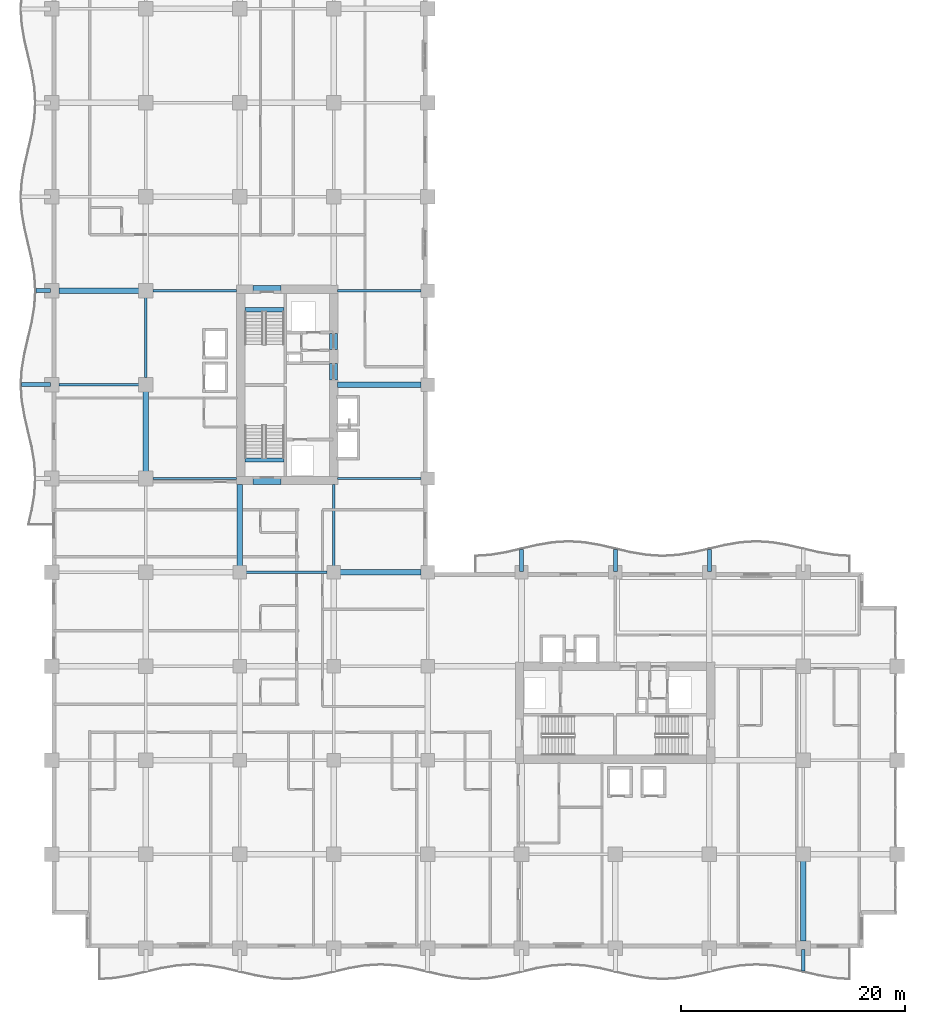
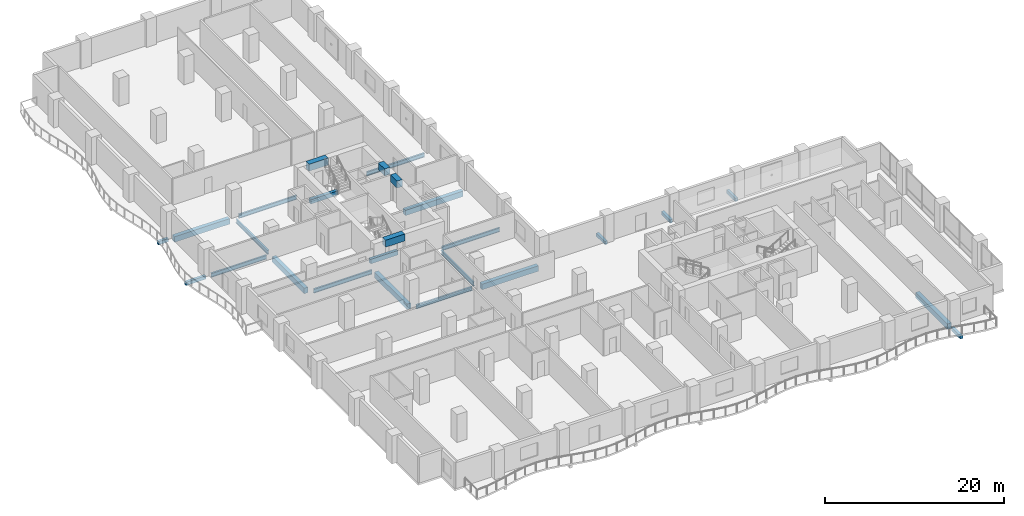
# One storey, part 2 of 23: 26 beams.
"""IFC4 building model written with IfcOpenShell, lengths in metres."""

from ifc_helpers import new_model, si_unit, direction, frame, origin, origin_2d, place, context, subcontext, project, spatial, rectangle, i_section, extrude, material, material_profile, profile_set, type_object, element, save


model = new_model("IFC4")

# Units and contexts
model_context = context("Model", 3, precision=1e-05, world=origin(), true_north=direction((0.0, 1.0)))
body_context = subcontext(model_context, "Body", "Model", "MODEL_VIEW")
ifc_project = project(units=[si_unit("LENGTHUNIT", "METRE"), si_unit("AREAUNIT", "SQUARE_METRE"), si_unit("VOLUMEUNIT", "CUBIC_METRE"), si_unit("PLANEANGLEUNIT", "RADIAN"), si_unit("MASSUNIT", "GRAM", prefix="KILO")], contexts=[model_context])

# Site, building, storey
site_placement = place(None, origin())
site = spatial("IfcSite", under=ifc_project, at=site_placement, CompositionType="ELEMENT")
building_placement = place(site_placement, origin())
building = spatial("IfcBuilding", under=site, at=building_placement, Name="Koriwani Terraces Tower", CompositionType="ELEMENT")
storey_placement = place(building_placement, frame((0.0, 0.0, 119.0)))
storey = spatial("IfcBuildingStorey", under=building, at=storey_placement, Name="L28", CompositionType="ELEMENT", Elevation=119.0)

# Beams
ifc_material_1 = material(Name="Concrete C40/50", Category="concrete")
ifc_material_profile_1 = material_profile(ifc_material_1, rectangle(XDim=0.35009765625, YDim=0.449951171875, at=origin_2d()), Name="Concrete C40/50", Category="LoadBearing")
ifc_profile_set_1 = profile_set([ifc_material_profile_1], Name="Concrete C40/50")
beam_type_1 = type_object("IfcBeamType", Name="BEAM_RC_BALCONY_RIB_350X450", PredefinedType="JOIST", material=ifc_profile_set_1)
beam_1_placement = place(storey_placement, frame((67.199951171875, -2.050048828125, -0.47509765625), z_axis=(0.0, 1.0, 0.0), x_axis=(-1.0, 0.0, 0.0)))
element("IfcBeam", 1, at=beam_1_placement, inside=storey, type_object=beam_type_1, Name="L28 Balcony Bracket Rib S-8", PredefinedType="JOIST", context=body_context, shape_type="SweptSolid", body=[
    extrude(rectangle(XDim=0.35009765625, YDim=0.449951171875, at=origin_2d()), origin(), (0.0, 0.0, 1.0), 1.949951171875),
])
beam_2_placement = place(storey_placement, frame((-2.699951171875, 50.39990234375, -0.47509765625), z_axis=(1.0, 0.0, 0.0), x_axis=(0.0, 1.0, 0.0)))
element("IfcBeam", 2, at=beam_2_placement, inside=storey, type_object=beam_type_1, Name="L28 Balcony Bracket Rib W-2", PredefinedType="JOIST", context=body_context, shape_type="SweptSolid", body=[
    extrude(rectangle(XDim=0.35009765625, YDim=0.449951171875, at=origin_2d()), origin(), (0.0, 0.0, 1.0), 2.599853515625),
])
beam_3_placement = place(storey_placement, frame((-1.39990234375, 58.800048828125, -0.47509765625), z_axis=(1.0, 0.0, 0.0), x_axis=(0.0, 1.0, 0.0)))
element("IfcBeam", 3, at=beam_3_placement, inside=storey, type_object=beam_type_1, Name="L28 Balcony Bracket Rib W-3", PredefinedType="JOIST", context=body_context, shape_type="SweptSolid", body=[
    extrude(rectangle(XDim=0.35009765625, YDim=0.449951171875, at=origin_2d()), origin(), (0.0, 0.0, 1.0), 1.2998046875),
])
for number, where, z_axis, x_axis, name in (
    (4, (42.0, 33.699951171875, -0.47509765625), (0.0, 1.0, 0.0), (-1.0, 0.0, 0.0), "L28 Balcony Bracket Rib NE-1"),
    (5, (50.39990234375, 33.699951171875, -0.47509765625), (0.0, 1.0, 0.0), (-1.0, 0.0, 0.0), "L28 Balcony Bracket Rib NE-2"),
    (6, (58.800048828125, 33.699951171875, -0.47509765625), (0.0, 1.0, 0.0), (-1.0, 0.0, 0.0), "L28 Balcony Bracket Rib NE-3"),
):
    element("IfcBeam", number, at=place(storey_placement, frame(where, z_axis=z_axis, x_axis=x_axis)), inside=storey, type_object=beam_type_1, Name=name, PredefinedType="JOIST", context=body_context, shape_type="SweptSolid", body=[
        extrude(rectangle(XDim=0.35009765625, YDim=0.449951171875, at=origin_2d()), origin(), (0.0, 0.0, 1.0), 1.949951171875),
    ])
ifc_material_2 = material(Name="Concrete C60/75", Category="concrete")
ifc_material_profile_2 = material_profile(ifc_material_2, rectangle(XDim=0.699951171875, YDim=0.949951171875, at=origin_2d()), Name="Concrete C60/75", Category="LoadBearing")
ifc_profile_set_2 = profile_set([ifc_material_profile_2], Name="Concrete C60/75")
beam_type_2 = type_object("IfcBeamType", Name="BEAM_RC_COUPLING_700X950", PredefinedType="LINTEL", material=ifc_profile_set_2)
beam_4_placement = place(storey_placement, frame((25.199951171875, 50.800048828125, 3.074951171875), z_axis=(0.0, 1.0, 0.0), x_axis=(-1.0, 0.0, 0.0)))
element("IfcBeam", 7, at=beam_4_placement, inside=storey, type_object=beam_type_2, Name="L28 Core Coupling Lintel Beam WE1", PredefinedType="LINTEL", context=body_context, shape_type="SweptSolid", body=[
    extrude(rectangle(XDim=0.699951171875, YDim=0.949951171875, at=origin_2d()), origin(), (0.0, 0.0, 1.0), 1.47998046875),
])
beam_5_placement = place(storey_placement, frame((25.199951171875, 53.550048828125, 3.074951171875), z_axis=(0.0, 1.0, 0.0), x_axis=(-1.0, 0.0, 0.0)))
element("IfcBeam", 8, at=beam_5_placement, inside=storey, type_object=beam_type_2, Name="L28 Core Coupling Lintel Beam WE2", PredefinedType="LINTEL", context=body_context, shape_type="SweptSolid", body=[
    extrude(rectangle(XDim=0.699951171875, YDim=0.949951171875, at=origin_2d()), origin(), (0.0, 0.0, 1.0), 1.39990234375),
])
for number, where, z_axis, x_axis, name in (
    (9, (18.0, 41.824951171875, 3.074951171875), (1.0, 0.0, 0.0), (0.0, 1.0, 0.0), "L28 Core Coupling Lintel Beam WS"),
    (10, (18.0, 58.925048828125, 3.074951171875), (1.0, 0.0, 0.0), (0.0, 1.0, 0.0), "L28 Core Coupling Lintel Beam WN"),
):
    element("IfcBeam", number, at=place(storey_placement, frame(where, z_axis=z_axis, x_axis=x_axis)), inside=storey, type_object=beam_type_2, Name=name, PredefinedType="LINTEL", context=body_context, shape_type="SweptSolid", body=[
        extrude(rectangle(XDim=0.699951171875, YDim=0.949951171875, at=origin_2d()), origin(), (0.0, 0.0, 1.0), 2.5),
    ])
ifc_material_profile_3 = material_profile(ifc_material_1, rectangle(XDim=0.39990234375, YDim=0.60009765625, at=origin_2d()), Name="Concrete C40/50", Category="LoadBearing")
ifc_profile_set_3 = profile_set([ifc_material_profile_3], Name="Concrete C40/50")
beam_type_3 = type_object("IfcBeamType", Name="BEAM_RC_GRID_400X600", PredefinedType="BEAM", material=ifc_profile_set_3)
for number, where, z_axis, x_axis, name in (
    (11, (17.25, 43.655029296875, -0.300048828125), (1.0, 0.0, 0.0), (0.0, 1.0, 0.0), "L28 Stairwell Header Trimmer Beam ST-W1"),
    (12, (17.25, 57.094970703125, -0.300048828125), (1.0, 0.0, 0.0), (0.0, 1.0, 0.0), "L28 Stairwell Header Trimmer Beam ST-W2"),
):
    element("IfcBeam", number, at=place(storey_placement, frame(where, z_axis=z_axis, x_axis=x_axis)), inside=storey, type_object=beam_type_3, Name=name, PredefinedType="BEAM", context=body_context, shape_type="SweptSolid", body=[
        extrude(rectangle(XDim=0.39990234375, YDim=0.60009765625, at=origin_2d()), origin(), (0.0, 0.0, 1.0), 3.5),
    ])
ifc_material_3 = material(Name="Concrete C50/60", Category="concrete")
ifc_material_profile_4 = material_profile(ifc_material_3, rectangle(XDim=0.5, YDim=0.75, at=origin_2d()), Name="Concrete C50/60", Category="LoadBearing")
ifc_profile_set_4 = profile_set([ifc_material_profile_4], Name="Concrete C50/60")
beam_type_4 = type_object("IfcBeamType", Name="BEAM_RC_GRID_500X750", PredefinedType="BEAM", material=ifc_profile_set_4)
beam_6_placement = place(storey_placement, frame((25.780029296875, 33.60009765625, -0.625), z_axis=(1.0, 0.0, 0.0), x_axis=(0.0, 1.0, 0.0)))
element("IfcBeam", 13, at=beam_6_placement, inside=storey, type_object=beam_type_4, Name="L28 Grid Beam E (25.2-33.6m)", PredefinedType="BEAM", context=body_context, shape_type="SweptSolid", body=[
    extrude(rectangle(XDim=0.5, YDim=0.75, at=origin_2d()), origin(), (0.0, 0.0, 1.0), 7.239990234375),
])
beam_7_placement = place(storey_placement, frame((25.554931640625, 50.39990234375, -0.625), z_axis=(1.0, 0.0, 0.0), x_axis=(0.0, 1.0, 0.0)))
element("IfcBeam", 14, at=beam_7_placement, inside=storey, type_object=beam_type_4, Name="L28 Grid Beam G (25.2-33.6m)", PredefinedType="BEAM", context=body_context, shape_type="SweptSolid", body=[
    extrude(rectangle(XDim=0.5, YDim=0.75, at=origin_2d()), origin(), (0.0, 0.0, 1.0), 7.465087890625),
])
for number, where, z_axis, x_axis, name in (
    (15, (0.6298828125, 58.800048828125, -0.625), (1.0, 0.0, 0.0), (0.0, 1.0, 0.0), "L28 Grid Beam H (0.0-8.4m)"),
    (16, (8.39990234375, 42.6298828125, -0.625), (0.0, 1.0, 0.0), (-1.0, 0.0, 0.0), "L28 Grid Beam 2 (42.0-50.4m)"),
):
    element("IfcBeam", number, at=place(storey_placement, frame(where, z_axis=z_axis, x_axis=x_axis)), inside=storey, type_object=beam_type_4, Name=name, PredefinedType="BEAM", context=body_context, shape_type="SweptSolid", body=[
        extrude(rectangle(XDim=0.5, YDim=0.75, at=origin_2d()), origin(), (0.0, 0.0, 1.0), 7.14013671875),
    ])
beam_8_placement = place(storey_placement, frame((16.800048828125, 34.179931640625, -0.625), z_axis=(0.0, 1.0, 0.0), x_axis=(-1.0, 0.0, 0.0)))
element("IfcBeam", 17, at=beam_8_placement, inside=storey, type_object=beam_type_4, Name="L28 Grid Beam 3 (33.6-42.0m)", PredefinedType="BEAM", context=body_context, shape_type="SweptSolid", body=[
    extrude(rectangle(XDim=0.5, YDim=0.75, at=origin_2d()), origin(), (0.0, 0.0, 1.0), 7.2900390625),
])
beam_9_placement = place(storey_placement, frame((67.199951171875, 0.6298828125, -0.625), z_axis=(0.0, 1.0, 0.0), x_axis=(-1.0, 0.0, 0.0)))
element("IfcBeam", 18, at=beam_9_placement, inside=storey, type_object=beam_type_4, Name="L28 Grid Beam 9 (0.0-8.4m)", PredefinedType="BEAM", context=body_context, shape_type="SweptSolid", body=[
    extrude(rectangle(XDim=0.5, YDim=0.75, at=origin_2d()), origin(), (0.0, 0.0, 1.0), 7.14013671875),
])
ifc_material_4 = material(Name="Steel ASTM A572 Grade 50", Category="steel")
ifc_material_profile_5 = material_profile(ifc_material_4, i_section(OverallWidth=0.2119140625, OverallDepth=0.54296875, WebThickness=0.0126953125, FlangeThickness=0.021240234375, at=origin_2d()), Name="Steel ASTM A572 Grade 50", Category="LoadBearing")
ifc_profile_set_5 = profile_set([ifc_material_profile_5], Name="Steel ASTM A572 Grade 50")
beam_type_5 = type_object("IfcBeamType", Name="STEEL_BEAM_W530X150", PredefinedType="BEAM", material=ifc_profile_set_5)
beam_10_placement = place(storey_placement, frame((17.3798828125, 33.60009765625, -0.521484375), z_axis=(1.0, 0.0, 0.0), x_axis=(0.0, 1.0, 0.0)))
element("IfcBeam", 19, at=beam_10_placement, inside=storey, type_object=beam_type_5, Name="L28 Grid Beam E (16.8-25.2m)", PredefinedType="BEAM", context=body_context, shape_type="SweptSolid", body=[
    extrude(i_section(OverallWidth=0.2119140625, OverallDepth=0.54296875, WebThickness=0.0126953125, FlangeThickness=0.021240234375, at=origin_2d()), origin(), (0.0, 0.0, 1.0), 7.240234375),
])
beam_11_placement = place(storey_placement, frame((9.030029296875, 42.0, -0.521484375), z_axis=(1.0, 0.0, 0.0), x_axis=(0.0, 1.0, 0.0)))
element("IfcBeam", 20, at=beam_11_placement, inside=storey, type_object=beam_type_5, Name="L28 Grid Beam F (8.4-16.8m)", PredefinedType="BEAM", context=body_context, shape_type="SweptSolid", body=[
    extrude(i_section(OverallWidth=0.2119140625, OverallDepth=0.54296875, WebThickness=0.0126953125, FlangeThickness=0.021240234375, at=origin_2d()), origin(), (0.0, 0.0, 1.0), 7.489990234375),
])
beam_12_placement = place(storey_placement, frame((25.554931640625, 42.0, -0.521484375), z_axis=(1.0, 0.0, 0.0), x_axis=(0.0, 1.0, 0.0)))
element("IfcBeam", 21, at=beam_12_placement, inside=storey, type_object=beam_type_5, Name="L28 Grid Beam F (25.2-33.6m)", PredefinedType="BEAM", context=body_context, shape_type="SweptSolid", body=[
    extrude(i_section(OverallWidth=0.2119140625, OverallDepth=0.54296875, WebThickness=0.0126953125, FlangeThickness=0.021240234375, at=origin_2d()), origin(), (0.0, 0.0, 1.0), 7.465087890625),
])
beam_13_placement = place(storey_placement, frame((0.6298828125, 50.39990234375, -0.521484375), z_axis=(1.0, 0.0, 0.0), x_axis=(0.0, 1.0, 0.0)))
element("IfcBeam", 22, at=beam_13_placement, inside=storey, type_object=beam_type_5, Name="L28 Grid Beam G (0.0-8.4m)", PredefinedType="BEAM", context=body_context, shape_type="SweptSolid", body=[
    extrude(i_section(OverallWidth=0.2119140625, OverallDepth=0.54296875, WebThickness=0.0126953125, FlangeThickness=0.021240234375, at=origin_2d()), origin(), (0.0, 0.0, 1.0), 7.14013671875),
])
beam_14_placement = place(storey_placement, frame((9.030029296875, 58.800048828125, -0.521484375), z_axis=(1.0, 0.0, 0.0), x_axis=(0.0, 1.0, 0.0)))
element("IfcBeam", 23, at=beam_14_placement, inside=storey, type_object=beam_type_5, Name="L28 Grid Beam H (8.4-16.8m)", PredefinedType="BEAM", context=body_context, shape_type="SweptSolid", body=[
    extrude(i_section(OverallWidth=0.2119140625, OverallDepth=0.54296875, WebThickness=0.0126953125, FlangeThickness=0.021240234375, at=origin_2d()), origin(), (0.0, 0.0, 1.0), 7.489990234375),
])
beam_15_placement = place(storey_placement, frame((25.554931640625, 58.800048828125, -0.521484375), z_axis=(1.0, 0.0, 0.0), x_axis=(0.0, 1.0, 0.0)))
element("IfcBeam", 24, at=beam_15_placement, inside=storey, type_object=beam_type_5, Name="L28 Grid Beam H (25.2-33.6m)", PredefinedType="BEAM", context=body_context, shape_type="SweptSolid", body=[
    extrude(i_section(OverallWidth=0.2119140625, OverallDepth=0.54296875, WebThickness=0.0126953125, FlangeThickness=0.021240234375, at=origin_2d()), origin(), (0.0, 0.0, 1.0), 7.465087890625),
])
beam_16_placement = place(storey_placement, frame((8.39990234375, 51.030029296875, -0.521484375), z_axis=(0.0, 1.0, 0.0), x_axis=(-1.0, 0.0, 0.0)))
element("IfcBeam", 25, at=beam_16_placement, inside=storey, type_object=beam_type_5, Name="L28 Grid Beam 2 (50.4-58.8m)", PredefinedType="BEAM", context=body_context, shape_type="SweptSolid", body=[
    extrude(i_section(OverallWidth=0.2119140625, OverallDepth=0.54296875, WebThickness=0.0126953125, FlangeThickness=0.021240234375, at=origin_2d()), origin(), (0.0, 0.0, 1.0), 7.139892578125),
])
beam_17_placement = place(storey_placement, frame((25.199951171875, 34.179931640625, -0.521484375), z_axis=(0.0, 1.0, 0.0), x_axis=(-1.0, 0.0, 0.0)))
element("IfcBeam", 26, at=beam_17_placement, inside=storey, type_object=beam_type_5, Name="L28 Grid Beam 4 (33.6-42.0m)", PredefinedType="BEAM", context=body_context, shape_type="SweptSolid", body=[
    extrude(i_section(OverallWidth=0.2119140625, OverallDepth=0.54296875, WebThickness=0.0126953125, FlangeThickness=0.021240234375, at=origin_2d()), origin(), (0.0, 0.0, 1.0), 7.2900390625),
])

save(model, "model.ifc")
